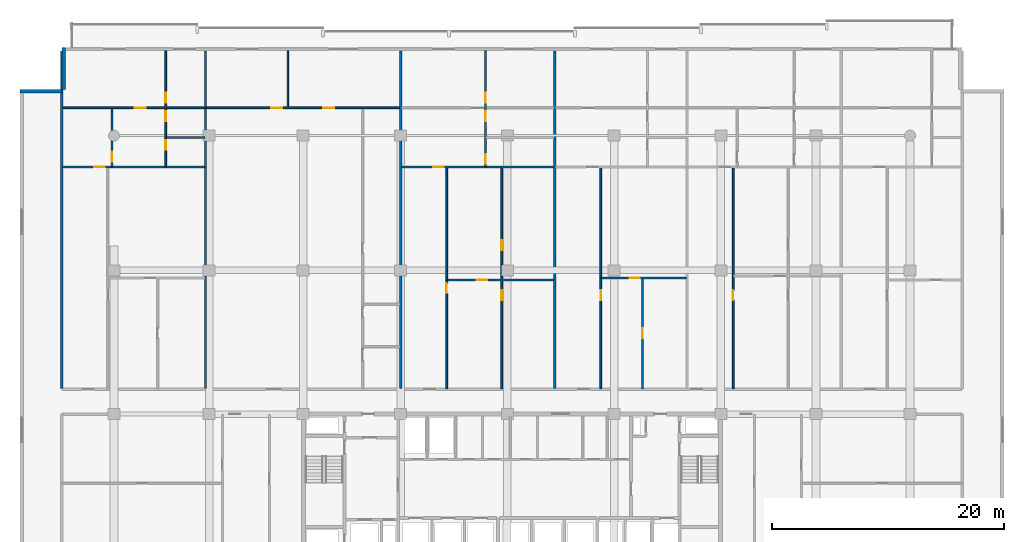
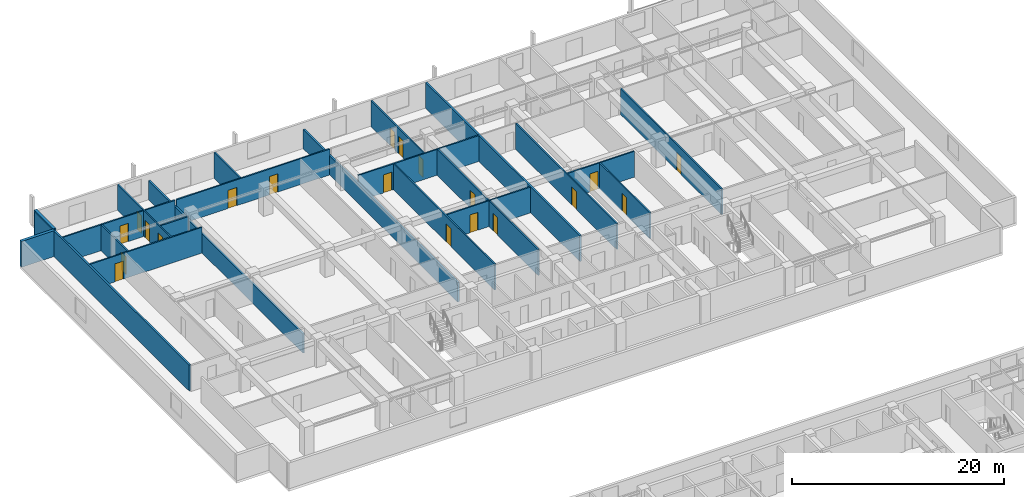
# One storey, part 14 of 23: 22 walls, 20 doors, 20 openings.
"""IFC4 building model written with IfcOpenShell, lengths in metres."""

from ifc_helpers import new_model, si_unit, direction, frame, frame_2d, origin, place, context, subcontext, project, spatial, rectangle, extrude, material, layer, layer_set, type_object, element, fill, save


model = new_model("IFC4")

# Units and contexts
model_context = context("Model", 3, precision=1e-05, world=origin(), true_north=direction((0.0, 1.0)))
body_context = subcontext(model_context, "Body", "Model", "MODEL_VIEW")
ifc_project = project(units=[si_unit("LENGTHUNIT", "METRE"), si_unit("AREAUNIT", "SQUARE_METRE"), si_unit("VOLUMEUNIT", "CUBIC_METRE"), si_unit("PLANEANGLEUNIT", "RADIAN"), si_unit("MASSUNIT", "GRAM", prefix="KILO")], contexts=[model_context])

# Site, building, storey
site_placement = place(None, origin())
site = spatial("IfcSite", under=ifc_project, at=site_placement, CompositionType="ELEMENT")
building_placement = place(site_placement, origin())
building = spatial("IfcBuilding", under=site, at=building_placement, Name="Korimba Cascade Residences", CompositionType="ELEMENT")
storey_placement = place(building_placement, frame((0.0, 0.0, 40.25)))
storey = spatial("IfcBuildingStorey", under=building, at=storey_placement, Name="L10", CompositionType="ELEMENT", Elevation=40.25)

# Walls
ifc_material_1 = material(Name="Precast concrete C40/50", Category="concrete")
ifc_layer_1 = layer(ifc_material_1, 0.300048828125)
ifc_layer_set_1 = layer_set([ifc_layer_1], Name="Precast concrete C40/50")
wall_type_1 = type_object("IfcWallType", Name="EW-STONE-300", PredefinedType="STANDARD", material=ifc_layer_set_1)
for number, where, z_axis, x_axis, name in (
    (1, (55.449951171875, 98.800048828125, 0.0), (0.0, 0.0, 1.0), (0.0, -1.0, 0.0), "L10 T1 Perimeter Stone Wall E07"),
    (2, (55.300048828125, 95.050048828125, 0.0), (0.0, 0.0, 1.0), (-1.0, 0.0, 0.0), "L10 T1 Perimeter Stone Wall E08"),
):
    element("IfcWall", number, at=place(storey_placement, frame(where, z_axis=z_axis, x_axis=x_axis)), inside=storey, type_object=wall_type_1, Name=name, PredefinedType="STANDARD", context=body_context, shape_type="SweptSolid", body=[
        extrude(rectangle(XDim=3.60009765625, YDim=0.300048828125, at=frame_2d((1.800048828125, 0.0))), origin(), (0.0, 0.0, 1.0), 2.969970703125),
    ])
ifc_layer_2 = layer(ifc_material_1, 0.199951171875)
ifc_layer_set_2 = layer_set([ifc_layer_2], Name="Precast concrete C40/50")
wall_type_2 = type_object("IfcWallType", Name="WAL-IT-200", PredefinedType="PARTITIONING", material=ifc_layer_set_2)
wall_1_placement = place(storey_placement, frame((55.300048828125, 69.429931640625, 0.0), z_axis=(0.0, 0.0, 1.0), x_axis=(0.0, 1.0, 0.0)))
element("IfcWall", 3, at=wall_1_placement, inside=storey, type_object=wall_type_2, Name="L10 Partition Wall WAL-L10-T1-BNDWL", PredefinedType="PARTITIONING", context=body_context, shape_type="SweptSolid", body=[
    extrude(rectangle(XDim=29.070068359375, YDim=0.199951171875, at=frame_2d((14.53515625, 0.0))), origin(), (0.0, 0.0, 1.0), 2.969970703125),
])
for number, where, z_axis, x_axis, name in (
    (4, (67.68017578125, 69.429931640625, 0.0), (0.0, 0.0, 1.0), (0.0, 1.0, 0.0), "L10 Partition Wall WAL-L10-T1-DEM-1"),
    (5, (84.49951171875, 69.429931640625, 0.0), (0.0, 0.0, 1.0), (0.0, 1.0, 0.0), "L10 Partition Wall WAL-L10-T1-DEM-2"),
):
    element("IfcWall", number, at=place(storey_placement, frame(where, z_axis=z_axis, x_axis=x_axis)), inside=storey, type_object=wall_type_2, Name=name, PredefinedType="PARTITIONING", context=body_context, shape_type="SweptSolid", body=[
        extrude(rectangle(XDim=29.070068359375, YDim=0.199951171875, at=frame_2d((14.53515625, 0.0))), origin(), (0.0, 0.0, 1.0), 2.219970703125),
    ])
wall_2_placement = place(storey_placement, frame((97.781982421875, 69.429931640625, 0.0), z_axis=(0.0, 0.0, 1.0), x_axis=(0.0, 1.0, 0.0)))
element("IfcWall", 6, at=wall_2_placement, inside=storey, type_object=wall_type_2, Name="L10 Partition Wall WAL-L10-T1-DEM-3", PredefinedType="PARTITIONING", context=body_context, shape_type="SweptSolid", body=[
    extrude(rectangle(XDim=29.070068359375, YDim=0.199951171875, at=frame_2d((14.53515625, 0.0))), origin(), (0.0, 0.0, 1.0), 2.969970703125),
])

# Wall, opening, door
ifc_material_2 = material(Name="Insulated Acoustic Stud Partition", Category="gypsum")
ifc_layer_3 = layer(ifc_material_2, 0.14990234375)
ifc_layer_set_3 = layer_set([ifc_layer_3], Name="Insulated Acoustic Stud Partition")
wall_type_3 = type_object("IfcWallType", Name="WAL-PART-150", PredefinedType="PARTITIONING", material=ifc_layer_set_3)
wall_3_placement = place(storey_placement, frame((59.6201171875, 88.5400390625, 0.0), z_axis=(0.0, 0.0, 1.0), x_axis=(0.0, 1.0, 0.0)))
wall_3 = element("IfcWall", 7, at=wall_3_placement, inside=storey, type_object=wall_type_3, Name="L10 Partition Wall WAL-L10-T1-U01-VDIN", PredefinedType="PARTITIONING", context=body_context, shape_type="SweptSolid", body=[
    extrude(rectangle(XDim=5.0, YDim=0.14990234375, at=frame_2d((2.5, 0.0))), origin(), (0.0, 0.0, 1.0), 2.969970703125),
])
opening_1_placement = place(wall_3_placement, frame((0.39990234375, 0.0, 0.0)))
opening_1 = element("IfcOpeningElement", 8, at=opening_1_placement, cuts=wall_3, Name="Opening D-IN2", PredefinedType="OPENING", context=body_context, shape_type="SweptSolid", body=[
    extrude(rectangle(XDim=0.8798828125, YDim=2.06005859375, at=frame_2d((0.43994140625, 1.030029296875))), frame((0.0, 0.0849609375, 0.0), z_axis=(0.0, -1.0, 0.0), x_axis=(1.0, 0.0, 0.0)), (0.0, 0.0, 1.0), 0.169921875),
])
ifc_material_3 = material(Name="Acoustic Timber Bedroom Door", Category="wood")
door_type_1 = type_object("IfcDoorType", Name="DR-INT-880", OperationType="NOTDEFINED", PredefinedType="DOOR", material=ifc_material_3)
door_1_placement = place(opening_1_placement, origin())
door_1 = element("IfcDoor", 9, at=door_1_placement, inside=storey, type_object=door_type_1, Name="L10-T1-U01 Dining Room Door", OperationType="SINGLE_SWING_LEFT", OverallHeight=2.06005859375, OverallWidth=0.8798828125, PredefinedType="DOOR", context=body_context, shape_type="SweptSolid", body=[
    extrude(rectangle(XDim=0.8798828125, YDim=2.06005859375, at=frame_2d((0.43994140625, 1.030029296875))), frame((0.0, 0.02490234375, 0.0), z_axis=(0.0, -1.0, 0.0), x_axis=(1.0, 0.0, 0.0)), (0.0, 0.0, 1.0), 0.050048828125),
])
fill(opening_1, door_1)

# Wall
wall_4_placement = place(storey_placement, frame((64.3203125, 91.0400390625, 0.0), z_axis=(0.0, 0.0, 1.0), x_axis=(1.0, 0.0, 0.0)))
element("IfcWall", 10, at=wall_4_placement, inside=storey, type_object=wall_type_3, Name="L10 Partition Wall WAL-L10-T1-U01-BLDIV", PredefinedType="PARTITIONING", context=body_context, shape_type="SweptSolid", body=[
    extrude(rectangle(XDim=3.27978515625, YDim=0.14990234375, at=frame_2d((1.639892578125, 0.0))), origin(), (0.0, 0.0, 1.0), 2.663330078125),
])

# Wall, openings, doors
wall_5_placement = place(storey_placement, frame((64.26025390625, 88.5400390625, 0.0), z_axis=(0.0, 0.0, 1.0), x_axis=(0.0, 1.0, 0.0)))
wall_5 = element("IfcWall", 11, at=wall_5_placement, inside=storey, type_object=wall_type_3, Name="L10 Partition Wall WAL-L10-T1-U01-V1", PredefinedType="PARTITIONING", context=body_context, shape_type="SweptSolid", body=[
    extrude(rectangle(XDim=9.9599609375, YDim=0.14990234375, at=frame_2d((4.97998046875, 0.0))), origin(), (0.0, 0.0, 1.0), 2.969970703125),
])
opening_2_placement = place(wall_5_placement, frame((1.430419921875, 0.0, 0.0)))
opening_2 = element("IfcOpeningElement", 12, at=opening_2_placement, cuts=wall_5, Name="Opening D-BT1", PredefinedType="OPENING", context=body_context, shape_type="SweptSolid", body=[
    extrude(rectangle(XDim=0.840087890625, YDim=2.0400390625, at=frame_2d((0.419921875, 1.02001953125))), frame((0.0, 0.0849609375, 0.0), z_axis=(0.0, -1.0, 0.0), x_axis=(1.0, 0.0, 0.0)), (0.0, 0.0, 1.0), 0.169921875),
])
opening_3_placement = place(wall_5_placement, frame((3.919921875, 0.0, 0.0)))
opening_3 = element("IfcOpeningElement", 13, at=opening_3_placement, cuts=wall_5, Name="Opening D-BT1", PredefinedType="OPENING", context=body_context, shape_type="SweptSolid", body=[
    extrude(rectangle(XDim=0.840087890625, YDim=2.0400390625, at=frame_2d((0.419921875, 1.02001953125))), frame((0.0, 0.0849609375, 0.0), z_axis=(0.0, -1.0, 0.0), x_axis=(1.0, 0.0, 0.0)), (0.0, 0.0, 1.0), 0.169921875),
])
opening_4_placement = place(wall_5_placement, frame((5.47998046875, 0.0, 0.0)))
opening_4 = element("IfcOpeningElement", 14, at=opening_4_placement, cuts=wall_5, Name="Opening D-IN2", PredefinedType="OPENING", context=body_context, shape_type="SweptSolid", body=[
    extrude(rectangle(XDim=0.8798828125, YDim=2.06005859375, at=frame_2d((0.43994140625, 1.030029296875))), frame((0.0, 0.0849609375, 0.0), z_axis=(0.0, -1.0, 0.0), x_axis=(1.0, 0.0, 0.0)), (0.0, 0.0, 1.0), 0.169921875),
])
ifc_material_4 = material(Name="Moisture-Resistant Bathroom Timber Door", Category="wood")
door_type_2 = type_object("IfcDoorType", Name="DR-INT-850", OperationType="NOTDEFINED", PredefinedType="DOOR", material=ifc_material_4)
door_2_placement = place(opening_2_placement, origin())
door_2 = element("IfcDoor", 15, at=door_2_placement, inside=storey, type_object=door_type_2, Name="L10-T1-U01 Bathroom Door", OperationType="SINGLE_SWING_RIGHT", OverallHeight=2.0400390625, OverallWidth=0.840087890625, PredefinedType="DOOR", context=body_context, shape_type="SweptSolid", body=[
    extrude(rectangle(XDim=0.840087890625, YDim=2.0400390625, at=frame_2d((0.419921875, 1.02001953125))), frame((0.0, 0.02490234375, 0.0), z_axis=(0.0, -1.0, 0.0), x_axis=(1.0, 0.0, 0.0)), (0.0, 0.0, 1.0), 0.050048828125),
])
fill(opening_2, door_2)
door_3_placement = place(opening_3_placement, origin())
door_3 = element("IfcDoor", 16, at=door_3_placement, inside=storey, type_object=door_type_2, Name="L10-T1-U01 Laundry Door", OperationType="SINGLE_SWING_LEFT", OverallHeight=2.0400390625, OverallWidth=0.840087890625, PredefinedType="DOOR", context=body_context, shape_type="SweptSolid", body=[
    extrude(rectangle(XDim=0.840087890625, YDim=2.0400390625, at=frame_2d((0.419921875, 1.02001953125))), frame((0.0, 0.02490234375, 0.0), z_axis=(0.0, -1.0, 0.0), x_axis=(1.0, 0.0, 0.0)), (0.0, 0.0, 1.0), 0.050048828125),
])
fill(opening_3, door_3)
door_4_placement = place(opening_4_placement, origin())
door_4 = element("IfcDoor", 17, at=door_4_placement, inside=storey, type_object=door_type_1, Name="L10-T1-U01 Bedroom 1 Door", OperationType="SINGLE_SWING_RIGHT", OverallHeight=2.06005859375, OverallWidth=0.8798828125, PredefinedType="DOOR", context=body_context, shape_type="SweptSolid", body=[
    extrude(rectangle(XDim=0.8798828125, YDim=2.06005859375, at=frame_2d((0.43994140625, 1.030029296875))), frame((0.0, 0.02490234375, 0.0), z_axis=(0.0, -1.0, 0.0), x_axis=(1.0, 0.0, 0.0)), (0.0, 0.0, 1.0), 0.050048828125),
])
fill(opening_4, door_4)

# Wall, opening, door
wall_6_placement = place(storey_placement, frame((55.3798828125, 88.5, 0.0), z_axis=(0.0, 0.0, 1.0), x_axis=(1.0, 0.0, 0.0)))
wall_6 = element("IfcWall", 18, at=wall_6_placement, inside=storey, type_object=wall_type_3, Name="L10 Partition Wall WAL-L10-T1-U01-MW", PredefinedType="PARTITIONING", context=body_context, shape_type="SweptSolid", body=[
    extrude(rectangle(XDim=12.22021484375, YDim=0.14990234375, at=frame_2d((6.110107421875, 0.0))), origin(), (0.0, 0.0, 1.0), 2.969970703125),
])
opening_5_placement = place(wall_6_placement, frame((2.719970703125, 0.0, 0.0)))
opening_5 = element("IfcOpeningElement", 19, at=opening_5_placement, cuts=wall_6, Name="Opening D-IN1", PredefinedType="OPENING", context=body_context, shape_type="SweptSolid", body=[
    extrude(rectangle(XDim=0.919921875, YDim=2.080078125, at=frame_2d((0.4599609375, 1.0400390625))), frame((0.0, 0.0849609375, 0.0), z_axis=(0.0, -1.0, 0.0), x_axis=(1.0, 0.0, 0.0)), (0.0, 0.0, 1.0), 0.169921875),
])
ifc_material_5 = material(Name="Acoustic Timber Living Door", Category="wood")
door_type_3 = type_object("IfcDoorType", Name="DR-INT-920", OperationType="NOTDEFINED", PredefinedType="DOOR", material=ifc_material_5)
door_5_placement = place(opening_5_placement, origin())
door_5 = element("IfcDoor", 20, at=door_5_placement, inside=storey, type_object=door_type_3, Name="L10-T1-U01 Kitchen Archway Door", OperationType="SINGLE_SWING_LEFT", OverallHeight=2.080078125, OverallWidth=0.919921875, PredefinedType="DOOR", context=body_context, shape_type="SweptSolid", body=[
    extrude(rectangle(XDim=0.919921875, YDim=2.080078125, at=frame_2d((0.4599609375, 1.0400390625))), frame((0.0, 0.02490234375, 0.0), z_axis=(0.0, -1.0, 0.0), x_axis=(1.0, 0.0, 0.0)), (0.0, 0.0, 1.0), 0.050048828125),
])
fill(opening_5, door_5)

wall_7_placement = place(storey_placement, frame((55.3798828125, 93.60009765625, 0.0), z_axis=(0.0, 0.0, 1.0), x_axis=(1.0, 0.0, 0.0)))
wall_7 = element("IfcWall", 21, at=wall_7_placement, inside=storey, type_object=wall_type_3, Name="L10 Partition Wall WAL-L10-T1-U01-HZ", PredefinedType="PARTITIONING", context=body_context, shape_type="SweptSolid", body=[
    extrude(rectangle(XDim=12.22021484375, YDim=0.14990234375, at=frame_2d((6.110107421875, 0.0))), origin(), (0.0, 0.0, 1.0), 2.969970703125),
])
opening_6_placement = place(wall_7_placement, frame((6.2021484375, 0.0, 0.0)))
opening_6 = element("IfcOpeningElement", 22, at=opening_6_placement, cuts=wall_7, Name="Opening D-IN0", PredefinedType="OPENING", context=body_context, shape_type="SweptSolid", body=[
    extrude(rectangle(XDim=0.93994140625, YDim=2.10009765625, at=frame_2d((0.469970703125, 1.050048828125))), frame((0.0, 0.0849609375, 0.0), z_axis=(0.0, -1.0, 0.0), x_axis=(1.0, 0.0, 0.0)), (0.0, 0.0, 1.0), 0.169921875),
])
ifc_material_6 = material(Name="Acoustic Timber Living Archway Door", Category="wood")
door_type_4 = type_object("IfcDoorType", Name="DR-INT-950", OperationType="NOTDEFINED", PredefinedType="DOOR", material=ifc_material_6)
door_6_placement = place(opening_6_placement, origin())
door_6 = element("IfcDoor", 23, at=door_6_placement, inside=storey, type_object=door_type_4, Name="L10-T1-U01 Living Archway Door", OperationType="SINGLE_SWING_RIGHT", OverallHeight=2.10009765625, OverallWidth=0.93994140625, PredefinedType="DOOR", context=body_context, shape_type="SweptSolid", body=[
    extrude(rectangle(XDim=0.93994140625, YDim=2.10009765625, at=frame_2d((0.469970703125, 1.050048828125))), frame((0.0, 0.02490234375, 0.0), z_axis=(0.0, -1.0, 0.0), x_axis=(1.0, 0.0, 0.0)), (0.0, 0.0, 1.0), 0.050048828125),
])
fill(opening_6, door_6)

# Wall
wall_8_placement = place(storey_placement, frame((74.784912109375, 93.679931640625, 0.0), z_axis=(0.0, 0.0, 1.0), x_axis=(0.0, 1.0, 0.0)))
element("IfcWall", 24, at=wall_8_placement, inside=storey, type_object=wall_type_3, Name="L10 Partition Wall WAL-L10-T1-U02-OUTV", PredefinedType="PARTITIONING", context=body_context, shape_type="SweptSolid", body=[
    extrude(rectangle(XDim=4.820068359375, YDim=0.14990234375, at=frame_2d((2.41015625, 0.0))), origin(), (0.0, 0.0, 1.0), 2.969970703125),
])

# Wall, openings, doors
wall_9_placement = place(storey_placement, frame((67.76025390625, 93.60009765625, 0.0), z_axis=(0.0, 0.0, 1.0), x_axis=(1.0, 0.0, 0.0)))
wall_9 = element("IfcWall", 25, at=wall_9_placement, inside=storey, type_object=wall_type_3, Name="L10 Partition Wall WAL-L10-T1-U02-HZ", PredefinedType="PARTITIONING", context=body_context, shape_type="SweptSolid", body=[
    extrude(rectangle(XDim=16.6591796875, YDim=0.14990234375, at=frame_2d((8.32958984375, 0.0))), origin(), (0.0, 0.0, 1.0), 2.969970703125),
])
opening_7_placement = place(wall_9_placement, frame((5.611083984375, 0.0, 0.0)))
opening_7 = element("IfcOpeningElement", 26, at=opening_7_placement, cuts=wall_9, Name="Opening D-IN0", PredefinedType="OPENING", context=body_context, shape_type="SweptSolid", body=[
    extrude(rectangle(XDim=0.93994140625, YDim=2.10009765625, at=frame_2d((0.469970703125, 1.050048828125))), frame((0.0, 0.0849609375, 0.0), z_axis=(0.0, -1.0, 0.0), x_axis=(1.0, 0.0, 0.0)), (0.0, 0.0, 1.0), 0.169921875),
])
opening_8_placement = place(wall_9_placement, frame((10.0771484375, 0.0, 0.0)))
opening_8 = element("IfcOpeningElement", 27, at=opening_8_placement, cuts=wall_9, Name="Opening D-IN0", PredefinedType="OPENING", context=body_context, shape_type="SweptSolid", body=[
    extrude(rectangle(XDim=0.93994140625, YDim=2.10009765625, at=frame_2d((0.469970703125, 1.050048828125))), frame((0.0, 0.0849609375, 0.0), z_axis=(0.0, -1.0, 0.0), x_axis=(1.0, 0.0, 0.0)), (0.0, 0.0, 1.0), 0.169921875),
])
door_7_placement = place(opening_7_placement, origin())
door_7 = element("IfcDoor", 28, at=door_7_placement, inside=storey, type_object=door_type_4, Name="L10-T1-U02 Executive Co-Working Office Door", OperationType="SINGLE_SWING_RIGHT", OverallHeight=2.10009765625, OverallWidth=0.93994140625, PredefinedType="DOOR", context=body_context, shape_type="SweptSolid", body=[
    extrude(rectangle(XDim=0.93994140625, YDim=2.10009765625, at=frame_2d((0.469970703125, 1.050048828125))), frame((0.0, 0.02490234375, 0.0), z_axis=(0.0, -1.0, 0.0), x_axis=(1.0, 0.0, 0.0)), (0.0, 0.0, 1.0), 0.050048828125),
])
fill(opening_7, door_7)
door_8_placement = place(opening_8_placement, origin())
door_8 = element("IfcDoor", 29, at=door_8_placement, inside=storey, type_object=door_type_4, Name="L10-T1-U02 Focus Workstation Office Door", OperationType="SINGLE_SWING_LEFT", OverallHeight=2.10009765625, OverallWidth=0.93994140625, PredefinedType="DOOR", context=body_context, shape_type="SweptSolid", body=[
    extrude(rectangle(XDim=0.93994140625, YDim=2.10009765625, at=frame_2d((0.469970703125, 1.050048828125))), frame((0.0, 0.02490234375, 0.0), z_axis=(0.0, -1.0, 0.0), x_axis=(1.0, 0.0, 0.0)), (0.0, 0.0, 1.0), 0.050048828125),
])
fill(opening_8, door_8)

wall_10_placement = place(storey_placement, frame((93.2158203125, 69.409912109375, 0.0), z_axis=(0.0, 0.0, 1.0), x_axis=(0.0, 1.0, 0.0)))
wall_10 = element("IfcWall", 30, at=wall_10_placement, inside=storey, type_object=wall_type_3, Name="L10 Partition Wall WAL-L10-T1-U03-FMV", PredefinedType="PARTITIONING", context=body_context, shape_type="SweptSolid", body=[
    extrude(rectangle(XDim=19.050048828125, YDim=0.14990234375, at=frame_2d((9.52490234375, 0.0))), origin(), (0.0, 0.0, 1.0), 2.969970703125),
])
opening_9_placement = place(wall_10_placement, frame((7.62255859375, 0.0, 0.0)))
opening_9 = element("IfcOpeningElement", 31, at=opening_9_placement, cuts=wall_10, Name="Opening D-BT1", PredefinedType="OPENING", context=body_context, shape_type="SweptSolid", body=[
    extrude(rectangle(XDim=0.840087890625, YDim=2.0400390625, at=frame_2d((0.419921875, 1.02001953125))), frame((0.0, 0.0849609375, 0.0), z_axis=(0.0, -1.0, 0.0), x_axis=(1.0, 0.0, 0.0)), (0.0, 0.0, 1.0), 0.169921875),
])
opening_10_placement = place(wall_10_placement, frame((11.89794921875, 0.0, 0.0)))
opening_10 = element("IfcOpeningElement", 32, at=opening_10_placement, cuts=wall_10, Name="Opening D-IN2", PredefinedType="OPENING", context=body_context, shape_type="SweptSolid", body=[
    extrude(rectangle(XDim=0.8798828125, YDim=2.06005859375, at=frame_2d((0.43994140625, 1.030029296875))), frame((0.0, 0.0849609375, 0.0), z_axis=(0.0, -1.0, 0.0), x_axis=(1.0, 0.0, 0.0)), (0.0, 0.0, 1.0), 0.169921875),
])
door_9_placement = place(opening_9_placement, origin())
door_9 = element("IfcDoor", 33, at=door_9_placement, inside=storey, type_object=door_type_2, Name="L10-T1-U03 Wardrobe Door", OperationType="SINGLE_SWING_RIGHT", OverallHeight=2.0400390625, OverallWidth=0.840087890625, PredefinedType="DOOR", context=body_context, shape_type="SweptSolid", body=[
    extrude(rectangle(XDim=0.840087890625, YDim=2.0400390625, at=frame_2d((0.419921875, 1.02001953125))), frame((0.0, 0.02490234375, 0.0), z_axis=(0.0, -1.0, 0.0), x_axis=(1.0, 0.0, 0.0)), (0.0, 0.0, 1.0), 0.050048828125),
])
fill(opening_9, door_9)
door_10_placement = place(opening_10_placement, origin())
door_10 = element("IfcDoor", 34, at=door_10_placement, inside=storey, type_object=door_type_1, Name="L10-T1-U03 Music Lounge Door", OperationType="SINGLE_SWING_LEFT", OverallHeight=2.06005859375, OverallWidth=0.8798828125, PredefinedType="DOOR", context=body_context, shape_type="SweptSolid", body=[
    extrude(rectangle(XDim=0.8798828125, YDim=2.06005859375, at=frame_2d((0.43994140625, 1.030029296875))), frame((0.0, 0.02490234375, 0.0), z_axis=(0.0, -1.0, 0.0), x_axis=(1.0, 0.0, 0.0)), (0.0, 0.0, 1.0), 0.050048828125),
])
fill(opening_10, door_10)

# Wall, opening, door
wall_11_placement = place(storey_placement, frame((88.529296875, 78.7548828125, 0.0), z_axis=(0.0, 0.0, 1.0), x_axis=(1.0, 0.0, 0.0)))
wall_11 = element("IfcWall", 35, at=wall_11_placement, inside=storey, type_object=wall_type_3, Name="L10 Partition Wall WAL-L10-T1-U03-FMH", PredefinedType="PARTITIONING", context=body_context, shape_type="SweptSolid", body=[
    extrude(rectangle(XDim=9.172607421875, YDim=0.14990234375, at=frame_2d((4.58642578125, 0.0))), origin(), (0.0, 0.0, 1.0), 2.969970703125),
])
opening_11_placement = place(wall_11_placement, frame((2.55078125, 0.0, 0.0)))
opening_11 = element("IfcOpeningElement", 36, at=opening_11_placement, cuts=wall_11, Name="Opening D-IN2", PredefinedType="OPENING", context=body_context, shape_type="SweptSolid", body=[
    extrude(rectangle(XDim=0.8798828125, YDim=2.06005859375, at=frame_2d((0.43994140625, 1.030029296875))), frame((0.0, 0.0849609375, 0.0), z_axis=(0.0, -1.0, 0.0), x_axis=(1.0, 0.0, 0.0)), (0.0, 0.0, 1.0), 0.169921875),
])
door_11_placement = place(opening_11_placement, origin())
door_11 = element("IfcDoor", 37, at=door_11_placement, inside=storey, type_object=door_type_1, Name="L10-T1-U03 Library Salon Door", OperationType="SINGLE_SWING_RIGHT", OverallHeight=2.06005859375, OverallWidth=0.8798828125, PredefinedType="DOOR", context=body_context, shape_type="SweptSolid", body=[
    extrude(rectangle(XDim=0.8798828125, YDim=2.06005859375, at=frame_2d((0.43994140625, 1.030029296875))), frame((0.0, 0.02490234375, 0.0), z_axis=(0.0, -1.0, 0.0), x_axis=(1.0, 0.0, 0.0)), (0.0, 0.0, 1.0), 0.050048828125),
])
fill(opening_11, door_11)

wall_12_placement = place(storey_placement, frame((88.469482421875, 69.409912109375, 0.0), z_axis=(0.0, 0.0, 1.0), x_axis=(0.0, 1.0, 0.0)))
wall_12 = element("IfcWall", 38, at=wall_12_placement, inside=storey, type_object=wall_type_3, Name="L10 Partition Wall WAL-L10-T1-U03-FV", PredefinedType="PARTITIONING", context=body_context, shape_type="SweptSolid", body=[
    extrude(rectangle(XDim=19.050048828125, YDim=0.14990234375, at=frame_2d((9.52490234375, 0.0))), origin(), (0.0, 0.0, 1.0), 2.969970703125),
])
opening_12_placement = place(wall_12_placement, frame((8.215087890625, 0.0, 0.0)))
opening_12 = element("IfcOpeningElement", 39, at=opening_12_placement, cuts=wall_12, Name="Opening D-IN2", PredefinedType="OPENING", context=body_context, shape_type="SweptSolid", body=[
    extrude(rectangle(XDim=0.8798828125, YDim=2.06005859375, at=frame_2d((0.43994140625, 1.030029296875))), frame((0.0, 0.0849609375, 0.0), z_axis=(0.0, -1.0, 0.0), x_axis=(1.0, 0.0, 0.0)), (0.0, 0.0, 1.0), 0.169921875),
])
door_12_placement = place(opening_12_placement, origin())
door_12 = element("IfcDoor", 40, at=door_12_placement, inside=storey, type_object=door_type_1, Name="L10-T1-U03 Media Lounge Door", OperationType="SINGLE_SWING_LEFT", OverallHeight=2.06005859375, OverallWidth=0.8798828125, PredefinedType="DOOR", context=body_context, shape_type="SweptSolid", body=[
    extrude(rectangle(XDim=0.8798828125, YDim=2.06005859375, at=frame_2d((0.43994140625, 1.030029296875))), frame((0.0, 0.02490234375, 0.0), z_axis=(0.0, -1.0, 0.0), x_axis=(1.0, 0.0, 0.0)), (0.0, 0.0, 1.0), 0.050048828125),
])
fill(opening_12, door_12)

# Wall, openings, doors
wall_13_placement = place(storey_placement, frame((91.820068359375, 88.5400390625, 0.0), z_axis=(0.0, 0.0, 1.0), x_axis=(0.0, 1.0, 0.0)))
wall_13 = element("IfcWall", 41, at=wall_13_placement, inside=storey, type_object=wall_type_3, Name="L10 Partition Wall WAL-L10-T1-U03-V1", PredefinedType="PARTITIONING", context=body_context, shape_type="SweptSolid", body=[
    extrude(rectangle(XDim=9.9599609375, YDim=0.14990234375, at=frame_2d((4.97998046875, 0.0))), origin(), (0.0, 0.0, 1.0), 2.969970703125),
])
opening_13_placement = place(wall_13_placement, frame((0.239990234375, 0.0, 0.0)))
opening_13 = element("IfcOpeningElement", 42, at=opening_13_placement, cuts=wall_13, Name="Opening D-BT1", PredefinedType="OPENING", context=body_context, shape_type="SweptSolid", body=[
    extrude(rectangle(XDim=0.840087890625, YDim=2.0400390625, at=frame_2d((0.419921875, 1.02001953125))), frame((0.0, 0.0849609375, 0.0), z_axis=(0.0, -1.0, 0.0), x_axis=(1.0, 0.0, 0.0)), (0.0, 0.0, 1.0), 0.169921875),
])
opening_14_placement = place(wall_13_placement, frame((3.919921875, 0.0, 0.0)))
opening_14 = element("IfcOpeningElement", 43, at=opening_14_placement, cuts=wall_13, Name="Opening D-BT1", PredefinedType="OPENING", context=body_context, shape_type="SweptSolid", body=[
    extrude(rectangle(XDim=0.840087890625, YDim=2.0400390625, at=frame_2d((0.419921875, 1.02001953125))), frame((0.0, 0.0849609375, 0.0), z_axis=(0.0, -1.0, 0.0), x_axis=(1.0, 0.0, 0.0)), (0.0, 0.0, 1.0), 0.169921875),
])
opening_15_placement = place(wall_13_placement, frame((5.47998046875, 0.0, 0.0)))
opening_15 = element("IfcOpeningElement", 44, at=opening_15_placement, cuts=wall_13, Name="Opening D-IN2", PredefinedType="OPENING", context=body_context, shape_type="SweptSolid", body=[
    extrude(rectangle(XDim=0.8798828125, YDim=2.06005859375, at=frame_2d((0.43994140625, 1.030029296875))), frame((0.0, 0.0849609375, 0.0), z_axis=(0.0, -1.0, 0.0), x_axis=(1.0, 0.0, 0.0)), (0.0, 0.0, 1.0), 0.169921875),
])
door_13_placement = place(opening_13_placement, origin())
door_13 = element("IfcDoor", 45, at=door_13_placement, inside=storey, type_object=door_type_2, Name="L10-T1-U03 Bathroom Door", OperationType="SINGLE_SWING_RIGHT", OverallHeight=2.0400390625, OverallWidth=0.840087890625, PredefinedType="DOOR", context=body_context, shape_type="SweptSolid", body=[
    extrude(rectangle(XDim=0.840087890625, YDim=2.0400390625, at=frame_2d((0.419921875, 1.02001953125))), frame((0.0, 0.02490234375, 0.0), z_axis=(0.0, -1.0, 0.0), x_axis=(1.0, 0.0, 0.0)), (0.0, 0.0, 1.0), 0.050048828125),
])
fill(opening_13, door_13)
door_14_placement = place(opening_14_placement, origin())
door_14 = element("IfcDoor", 46, at=door_14_placement, inside=storey, type_object=door_type_2, Name="L10-T1-U03 Laundry Door", OperationType="SINGLE_SWING_LEFT", OverallHeight=2.0400390625, OverallWidth=0.840087890625, PredefinedType="DOOR", context=body_context, shape_type="SweptSolid", body=[
    extrude(rectangle(XDim=0.840087890625, YDim=2.0400390625, at=frame_2d((0.419921875, 1.02001953125))), frame((0.0, 0.02490234375, 0.0), z_axis=(0.0, -1.0, 0.0), x_axis=(1.0, 0.0, 0.0)), (0.0, 0.0, 1.0), 0.050048828125),
])
fill(opening_14, door_14)
door_15_placement = place(opening_15_placement, origin())
door_15 = element("IfcDoor", 47, at=door_15_placement, inside=storey, type_object=door_type_1, Name="L10-T1-U03 Bedroom 1 Door", OperationType="SINGLE_SWING_RIGHT", OverallHeight=2.06005859375, OverallWidth=0.8798828125, PredefinedType="DOOR", context=body_context, shape_type="SweptSolid", body=[
    extrude(rectangle(XDim=0.8798828125, YDim=2.06005859375, at=frame_2d((0.43994140625, 1.030029296875))), frame((0.0, 0.02490234375, 0.0), z_axis=(0.0, -1.0, 0.0), x_axis=(1.0, 0.0, 0.0)), (0.0, 0.0, 1.0), 0.050048828125),
])
fill(opening_15, door_15)

# Wall, opening, door
wall_14_placement = place(storey_placement, frame((84.579345703125, 88.5, 0.0), z_axis=(0.0, 0.0, 1.0), x_axis=(1.0, 0.0, 0.0)))
wall_14 = element("IfcWall", 48, at=wall_14_placement, inside=storey, type_object=wall_type_3, Name="L10 Partition Wall WAL-L10-T1-U03-MW", PredefinedType="PARTITIONING", context=body_context, shape_type="SweptSolid", body=[
    extrude(rectangle(XDim=13.12255859375, YDim=0.14990234375, at=frame_2d((6.561279296875, 0.0))), origin(), (0.0, 0.0, 1.0), 2.969970703125),
])
opening_16_placement = place(wall_14_placement, frame((2.719970703125, 0.0, 0.0)))
opening_16 = element("IfcOpeningElement", 49, at=opening_16_placement, cuts=wall_14, Name="Opening D-IN1", PredefinedType="OPENING", context=body_context, shape_type="SweptSolid", body=[
    extrude(rectangle(XDim=0.919921875, YDim=2.080078125, at=frame_2d((0.4599609375, 1.0400390625))), frame((0.0, 0.0849609375, 0.0), z_axis=(0.0, -1.0, 0.0), x_axis=(1.0, 0.0, 0.0)), (0.0, 0.0, 1.0), 0.169921875),
])
door_16_placement = place(opening_16_placement, origin())
door_16 = element("IfcDoor", 50, at=door_16_placement, inside=storey, type_object=door_type_3, Name="L10-T1-U03 Kitchen Archway Door", OperationType="SINGLE_SWING_LEFT", OverallHeight=2.080078125, OverallWidth=0.919921875, PredefinedType="DOOR", context=body_context, shape_type="SweptSolid", body=[
    extrude(rectangle(XDim=0.919921875, YDim=2.080078125, at=frame_2d((0.4599609375, 1.0400390625))), frame((0.0, 0.02490234375, 0.0), z_axis=(0.0, -1.0, 0.0), x_axis=(1.0, 0.0, 0.0)), (0.0, 0.0, 1.0), 0.050048828125),
])
fill(opening_16, door_16)

wall_15_placement = place(storey_placement, frame((105.339599609375, 69.409912109375, 0.0), z_axis=(0.0, 0.0, 1.0), x_axis=(0.0, 1.0, 0.0)))
wall_15 = element("IfcWall", 51, at=wall_15_placement, inside=storey, type_object=wall_type_3, Name="L10 Partition Wall WAL-L10-T1-U04-FMV", PredefinedType="PARTITIONING", context=body_context, shape_type="SweptSolid", body=[
    extrude(rectangle(XDim=9.525146484375, YDim=0.14990234375, at=frame_2d((4.7626953125, 0.0))), origin(), (0.0, 0.0, 1.0), 2.969970703125),
])
opening_17_placement = place(wall_15_placement, frame((4.342529296875, 0.0, 0.0)))
opening_17 = element("IfcOpeningElement", 52, at=opening_17_placement, cuts=wall_15, Name="Opening D-BT1", PredefinedType="OPENING", context=body_context, shape_type="SweptSolid", body=[
    extrude(rectangle(XDim=0.840087890625, YDim=2.0400390625, at=frame_2d((0.419921875, 1.02001953125))), frame((0.0, 0.0849609375, 0.0), z_axis=(0.0, -1.0, 0.0), x_axis=(1.0, 0.0, 0.0)), (0.0, 0.0, 1.0), 0.169921875),
])
door_17_placement = place(opening_17_placement, origin())
door_17 = element("IfcDoor", 53, at=door_17_placement, inside=storey, type_object=door_type_2, Name="L10-T1-U04 Wardrobe Door", OperationType="SINGLE_SWING_LEFT", OverallHeight=2.0400390625, OverallWidth=0.840087890625, PredefinedType="DOOR", context=body_context, shape_type="SweptSolid", body=[
    extrude(rectangle(XDim=0.840087890625, YDim=2.0400390625, at=frame_2d((0.419921875, 1.02001953125))), frame((0.0, 0.02490234375, 0.0), z_axis=(0.0, -1.0, 0.0), x_axis=(1.0, 0.0, 0.0)), (0.0, 0.0, 1.0), 0.050048828125),
])
fill(opening_17, door_17)

wall_16_placement = place(storey_placement, frame((101.81201171875, 78.93505859375, 0.0), z_axis=(0.0, 0.0, 1.0), x_axis=(1.0, 0.0, 0.0)))
wall_16 = element("IfcWall", 54, at=wall_16_placement, inside=storey, type_object=wall_type_3, Name="L10 Partition Wall WAL-L10-T1-U04-FMH", PredefinedType="PARTITIONING", context=body_context, shape_type="SweptSolid", body=[
    extrude(rectangle(XDim=7.295166015625, YDim=0.14990234375, at=frame_2d((3.6474609375, 0.0))), origin(), (0.0, 0.0, 1.0), 2.969970703125),
])
opening_18_placement = place(wall_16_placement, frame((2.427490234375, 0.0, 0.0)))
opening_18 = element("IfcOpeningElement", 55, at=opening_18_placement, cuts=wall_16, Name="Opening D-IN2", PredefinedType="OPENING", context=body_context, shape_type="SweptSolid", body=[
    extrude(rectangle(XDim=0.8798828125, YDim=2.06005859375, at=frame_2d((0.43994140625, 1.030029296875))), frame((0.0, 0.0849609375, 0.0), z_axis=(0.0, -1.0, 0.0), x_axis=(1.0, 0.0, 0.0)), (0.0, 0.0, 1.0), 0.169921875),
])
door_18_placement = place(opening_18_placement, origin())
door_18 = element("IfcDoor", 56, at=door_18_placement, inside=storey, type_object=door_type_1, Name="L10-T1-U04 Library Salon Door", OperationType="SINGLE_SWING_RIGHT", OverallHeight=2.06005859375, OverallWidth=0.8798828125, PredefinedType="DOOR", context=body_context, shape_type="SweptSolid", body=[
    extrude(rectangle(XDim=0.8798828125, YDim=2.06005859375, at=frame_2d((0.43994140625, 1.030029296875))), frame((0.0, 0.02490234375, 0.0), z_axis=(0.0, -1.0, 0.0), x_axis=(1.0, 0.0, 0.0)), (0.0, 0.0, 1.0), 0.050048828125),
])
fill(opening_18, door_18)

wall_17_placement = place(storey_placement, frame((101.751953125, 69.409912109375, 0.0), z_axis=(0.0, 0.0, 1.0), x_axis=(0.0, 1.0, 0.0)))
wall_17 = element("IfcWall", 57, at=wall_17_placement, inside=storey, type_object=wall_type_3, Name="L10 Partition Wall WAL-L10-T1-U04-FV", PredefinedType="PARTITIONING", context=body_context, shape_type="SweptSolid", body=[
    extrude(rectangle(XDim=19.050048828125, YDim=0.14990234375, at=frame_2d((9.52490234375, 0.0))), origin(), (0.0, 0.0, 1.0), 2.969970703125),
])
opening_19_placement = place(wall_17_placement, frame((7.590576171875, 0.0, 0.0)))
opening_19 = element("IfcOpeningElement", 58, at=opening_19_placement, cuts=wall_17, Name="Opening D-IN2", PredefinedType="OPENING", context=body_context, shape_type="SweptSolid", body=[
    extrude(rectangle(XDim=0.8798828125, YDim=2.06005859375, at=frame_2d((0.43994140625, 1.030029296875))), frame((0.0, 0.0849609375, 0.0), z_axis=(0.0, -1.0, 0.0), x_axis=(1.0, 0.0, 0.0)), (0.0, 0.0, 1.0), 0.169921875),
])
door_19_placement = place(opening_19_placement, origin())
door_19 = element("IfcDoor", 59, at=door_19_placement, inside=storey, type_object=door_type_1, Name="L10-T1-U04 Media Lounge Door", OperationType="SINGLE_SWING_LEFT", OverallHeight=2.06005859375, OverallWidth=0.8798828125, PredefinedType="DOOR", context=body_context, shape_type="SweptSolid", body=[
    extrude(rectangle(XDim=0.8798828125, YDim=2.06005859375, at=frame_2d((0.43994140625, 1.030029296875))), frame((0.0, 0.02490234375, 0.0), z_axis=(0.0, -1.0, 0.0), x_axis=(1.0, 0.0, 0.0)), (0.0, 0.0, 1.0), 0.050048828125),
])
fill(opening_19, door_19)

wall_18_placement = place(storey_placement, frame((113.1572265625, 69.409912109375, 0.0), z_axis=(0.0, 0.0, 1.0), x_axis=(0.0, 1.0, 0.0)))
wall_18 = element("IfcWall", 60, at=wall_18_placement, inside=storey, type_object=wall_type_3, Name="L10 Partition Wall WAL-L10-T1-U05-FV", PredefinedType="PARTITIONING", context=body_context, shape_type="SweptSolid", body=[
    extrude(rectangle(XDim=19.050048828125, YDim=0.14990234375, at=frame_2d((9.52490234375, 0.0))), origin(), (0.0, 0.0, 1.0), 2.969970703125),
])
opening_20_placement = place(wall_18_placement, frame((7.587890625, 0.0, 0.0)))
opening_20 = element("IfcOpeningElement", 61, at=opening_20_placement, cuts=wall_18, Name="Opening D-IN2", PredefinedType="OPENING", context=body_context, shape_type="SweptSolid", body=[
    extrude(rectangle(XDim=0.8798828125, YDim=2.06005859375, at=frame_2d((0.43994140625, 1.030029296875))), frame((0.0, 0.0849609375, 0.0), z_axis=(0.0, -1.0, 0.0), x_axis=(1.0, 0.0, 0.0)), (0.0, 0.0, 1.0), 0.169921875),
])
door_20_placement = place(opening_20_placement, origin())
door_20 = element("IfcDoor", 62, at=door_20_placement, inside=storey, type_object=door_type_1, Name="L10-T1-U05 Media Lounge Door", OperationType="SINGLE_SWING_RIGHT", OverallHeight=2.06005859375, OverallWidth=0.8798828125, PredefinedType="DOOR", context=body_context, shape_type="SweptSolid", body=[
    extrude(rectangle(XDim=0.8798828125, YDim=2.06005859375, at=frame_2d((0.43994140625, 1.030029296875))), frame((0.0, 0.02490234375, 0.0), z_axis=(0.0, -1.0, 0.0), x_axis=(1.0, 0.0, 0.0)), (0.0, 0.0, 1.0), 0.050048828125),
])
fill(opening_20, door_20)

save(model, "model.ifc")
